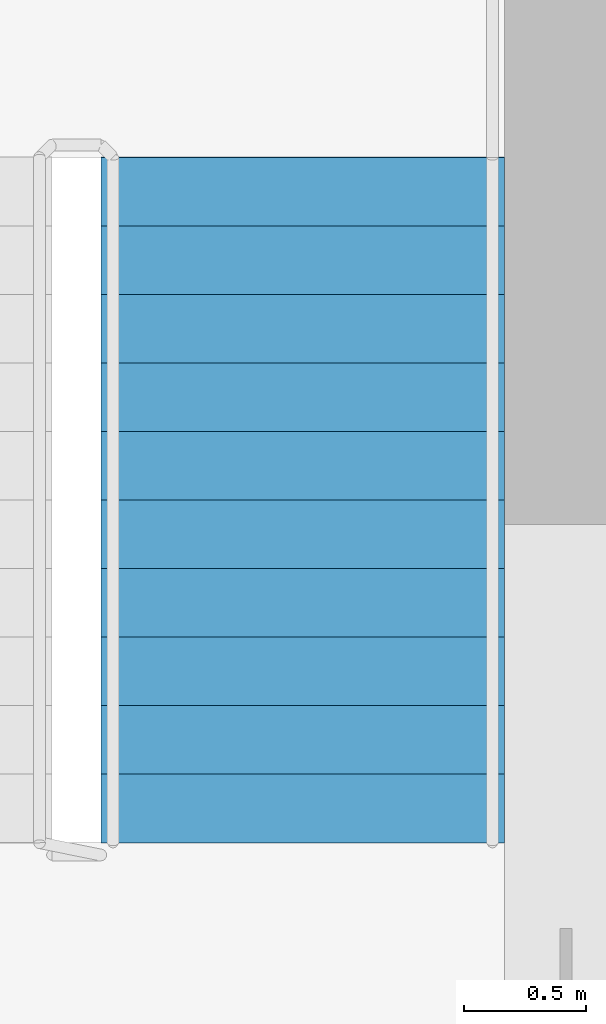
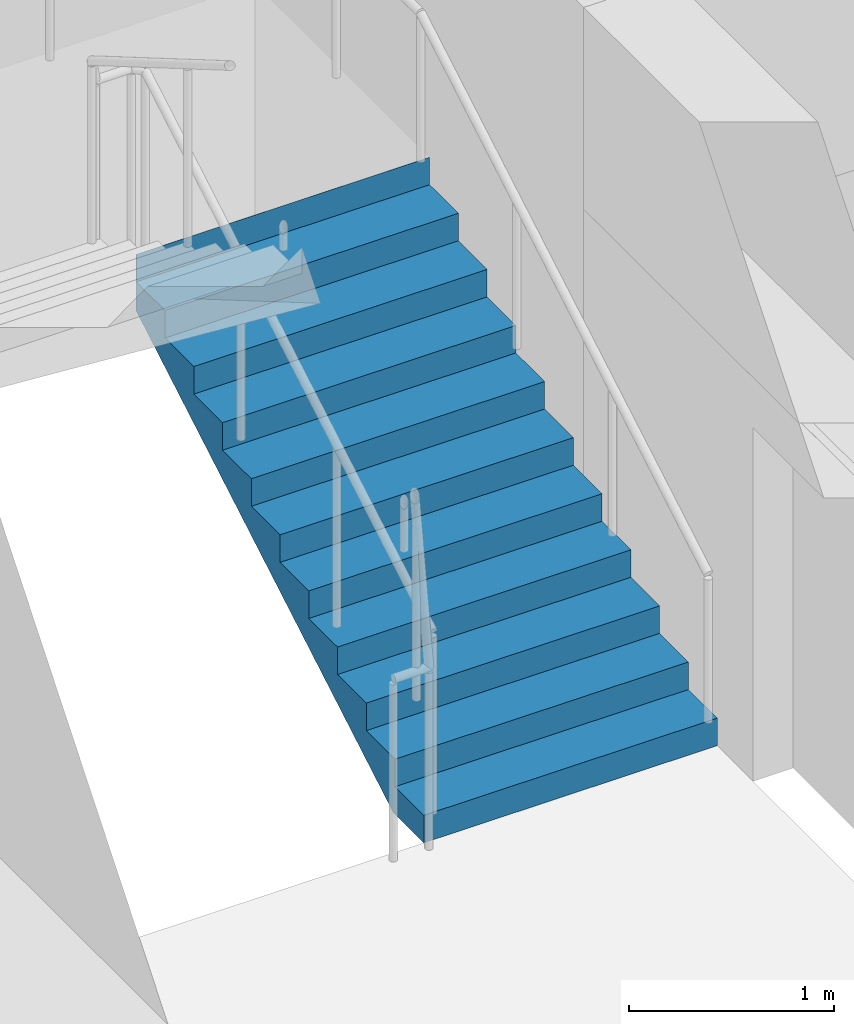
# One storey, part 13 of 14: 1 stair flight, 1 element without a shape of its own.
"""IFC4 building model written with IfcOpenShell, lengths in metres."""

from ifc_helpers import new_model, si_unit, direction, frame, origin, place, context, subcontext, project, spatial, polyline, outline, extrude, material, type_object, element, aggregate, save


model = new_model("IFC4")

# Units and contexts
model_context = context("Model", 3, precision=1e-05, world=origin(), true_north=direction((0.0, 1.0)))
body_context = subcontext(model_context, "Body", "Model", "MODEL_VIEW")
ifc_project = project(units=[si_unit("LENGTHUNIT", "METRE"), si_unit("AREAUNIT", "SQUARE_METRE"), si_unit("VOLUMEUNIT", "CUBIC_METRE"), si_unit("PLANEANGLEUNIT", "RADIAN"), si_unit("MASSUNIT", "GRAM", prefix="KILO")], contexts=[model_context])

# Site, building, storey
site_placement = place(None, origin())
site = spatial("IfcSite", under=ifc_project, at=site_placement, CompositionType="ELEMENT")
building_placement = place(site_placement, origin())
building = spatial("IfcBuilding", under=site, at=building_placement, Name="Tamorin Gate", CompositionType="ELEMENT")
storey_placement = place(building_placement, frame((0.0, 0.0, 37.60009765625)))
storey = spatial("IfcBuildingStorey", under=building, at=storey_placement, Name="L07", CompositionType="ELEMENT", Elevation=37.60009765625)

# Stair, stair flight
ifc_material = material(Name="Concrete C40/50", Category="concrete")
stair_type = type_object("IfcStairType", Name="Exit stair", PredefinedType="HALF_TURN_STAIR", material=ifc_material)
stair_placement = place(storey_placement, origin())
stair = element("IfcStair", 1, at=stair_placement, inside=storey, type_object=stair_type, Name="L07 stair ST2", PredefinedType="HALF_TURN_STAIR")
stair_flight_type = type_object("IfcStairFlightType", Name="Exit stair flight", PredefinedType="STRAIGHT", material=ifc_material)
stair_flight_placement = place(storey_placement, frame((33.675048828125, 77.0, 0.0), z_axis=(0.0, 0.0, 1.0), x_axis=(0.0, 1.0, 0.0)))
stair_flight = element("IfcStairFlight", 2, at=stair_flight_placement, type_object=stair_flight_type, Name="ST2 flight 1", NumberOfRisers=11, NumberOfTreads=10, PredefinedType="STRAIGHT", RiserHeight=0.163636364, TreadLength=0.28, context=body_context, shape_type="SweptSolid", body=[
    extrude(outline(polyline([(-0.00048828125, 0.0), (-0.00048828125, 0.001708984375), (-0.00048828125, 0.003173828125), (-0.00048828125, 0.0048828125), (-0.00048828125, 0.006591796875), (-0.00048828125, 0.008056640625), (-0.00048828125, 0.009765625), (-0.00048828125, 0.01123046875), (-0.00048828125, 0.012939453125), (-0.00048828125, 0.0146484375), (-0.00048828125, 0.01611328125), (-0.00048828125, 0.017822265625), (-0.00048828125, 0.01953125), (-0.00048828125, 0.02099609375), (-0.00048828125, 0.022705078125), (-0.00048828125, 0.0244140625), (-0.00048828125, 0.02587890625), (-0.00048828125, 0.027587890625), (-0.00048828125, 0.029052734375), (-0.00048828125, 0.03076171875), (-0.00048828125, 0.032470703125), (-0.00048828125, 0.033935546875), (-0.00048828125, 0.03564453125), (-0.00048828125, 0.037353515625), (-0.00048828125, 0.038818359375), (-0.00048828125, 0.04052734375), (-0.00048828125, 0.042236328125), (-0.00048828125, 0.043701171875), (-0.00048828125, 0.04541015625), (-0.00048828125, 0.046875), (-0.00048828125, 0.048583984375), (-0.00048828125, 0.05029296875), (-0.00048828125, 0.0517578125), (-0.00048828125, 0.053466796875), (-0.00048828125, 0.05517578125), (-0.00048828125, 0.056640625), (-0.00048828125, 0.058349609375), (-0.00048828125, 0.06005859375), (-0.00048828125, 0.0615234375), (-0.00048828125, 0.063232421875), (-0.00048828125, 0.064697265625), (-0.00048828125, 0.06640625), (-0.00048828125, 0.068115234375), (-0.00048828125, 0.069580078125), (-0.00048828125, 0.0712890625), (-0.00048828125, 0.072998046875), (-0.00048828125, 0.074462890625), (-0.00048828125, 0.076171875), (-0.00048828125, 0.077880859375), (-0.00048828125, 0.079345703125), (-0.00048828125, 0.0810546875), (-0.00048828125, 0.08251953125), (-0.00048828125, 0.084228515625), (-0.00048828125, 0.0859375), (-0.00048828125, 0.08740234375), (-0.00048828125, 0.089111328125), (-0.00048828125, 0.0908203125), (-0.00048828125, 0.09228515625), (-0.00048828125, 0.093994140625), (-0.00048828125, 0.095703125), (-0.00048828125, 0.09716796875), (-0.00048828125, 0.098876953125), (-0.00048828125, 0.100341796875), (-0.00048828125, 0.10205078125), (-0.00048828125, 0.103759765625), (-0.00048828125, 0.105224609375), (-0.00048828125, 0.10693359375), (-0.00048828125, 0.108642578125), (-0.00048828125, 0.110107421875), (-0.00048828125, 0.11181640625), (-0.00048828125, 0.113525390625), (-0.00048828125, 0.114990234375), (-0.00048828125, 0.11669921875), (-0.00048828125, 0.1181640625), (-0.00048828125, 0.119873046875), (-0.00048828125, 0.12158203125), (-0.00048828125, 0.123046875), (-0.00048828125, 0.124755859375), (-0.00048828125, 0.12646484375), (-0.00048828125, 0.1279296875), (-0.00048828125, 0.129638671875), (-0.00048828125, 0.13134765625), (-0.00048828125, 0.1328125), (-0.00048828125, 0.134521484375), (-0.00048828125, 0.135986328125), (-0.00048828125, 0.1376953125), (-0.00048828125, 0.139404296875), (-0.00048828125, 0.140869140625), (-0.00048828125, 0.142578125), (-0.00048828125, 0.144287109375), (-0.00048828125, 0.145751953125), (-0.00048828125, 0.1474609375), (-0.00048828125, 0.149169921875), (-0.00048828125, 0.150634765625), (-0.00048828125, 0.15234375), (-0.00048828125, 0.15380859375), (-0.00048828125, 0.155517578125), (-0.00048828125, 0.1572265625), (-0.00048828125, 0.15869140625), (-0.00048828125, 0.160400390625), (-0.00048828125, 0.162109375), (-0.00048828125, 0.16357421875), (0.280029296875, 0.16357421875), (0.280029296875, 0.327392578125), (0.56005859375, 0.327392578125), (0.56005859375, 0.490966796875), (0.840087890625, 0.490966796875), (0.840087890625, 0.654541015625), (1.1201171875, 0.654541015625), (1.1201171875, 0.818115234375), (1.39990234375, 0.818115234375), (1.39990234375, 0.98193359375), (1.679931640625, 0.98193359375), (1.679931640625, 1.1455078125), (1.9599609375, 1.1455078125), (1.9599609375, 1.30908203125), (2.239990234375, 1.30908203125), (2.239990234375, 1.47265625), (2.52001953125, 1.47265625), (2.52001953125, 1.636474609375), (2.800048828125, 1.636474609375), (2.800048828125, 1.800048828125), (2.800537109375, 1.800048828125), (2.800537109375, 1.796630859375), (2.800537109375, 1.793212890625), (2.800537109375, 1.7900390625), (2.800537109375, 1.78662109375), (2.800537109375, 1.783203125), (2.800537109375, 1.780029296875), (2.800537109375, 1.776611328125), (2.800537109375, 1.773193359375), (2.800537109375, 1.77001953125), (2.800537109375, 1.7666015625), (2.800537109375, 1.76318359375), (2.800537109375, 1.760009765625), (2.800537109375, 1.756591796875), (2.800537109375, 1.753173828125), (2.800537109375, 1.75), (2.800537109375, 1.74658203125), (2.800537109375, 1.7431640625), (2.800537109375, 1.739990234375), (2.800537109375, 1.736572265625), (2.800537109375, 1.733154296875), (2.800537109375, 1.72998046875), (2.800537109375, 1.7265625), (2.800537109375, 1.72314453125), (2.800537109375, 1.719970703125), (2.800537109375, 1.716552734375), (2.800537109375, 1.713134765625), (2.800537109375, 1.7099609375), (2.800537109375, 1.70654296875), (2.800537109375, 1.703125), (2.800537109375, 1.69970703125), (2.800537109375, 1.696533203125), (2.800537109375, 1.693115234375), (2.800537109375, 1.689697265625), (2.800537109375, 1.6865234375), (2.800537109375, 1.68310546875), (2.800537109375, 1.6796875), (2.800537109375, 1.676513671875), (2.800537109375, 1.673095703125), (2.800537109375, 1.669677734375), (2.800537109375, 1.66650390625), (2.800537109375, 1.6630859375), (2.800537109375, 1.65966796875), (2.800537109375, 1.656494140625), (2.800537109375, 1.653076171875), (2.800537109375, 1.649658203125), (2.800537109375, 1.646484375), (2.800537109375, 1.64306640625), (2.800537109375, 1.6396484375), (2.800537109375, 1.636474609375), (2.800537109375, 1.633056640625), (2.800537109375, 1.629638671875), (2.800537109375, 1.62646484375), (2.800537109375, 1.623046875), (2.800537109375, 1.61962890625), (2.800537109375, 1.616455078125), (2.800537109375, 1.613037109375), (2.800537109375, 1.609619140625), (2.800537109375, 1.6064453125), (2.800537109375, 1.60302734375), (2.800537109375, 1.599609375), (2.800537109375, 1.59619140625), (2.800537109375, 1.593017578125), (2.800537109375, 1.589599609375), (2.800537109375, 1.586181640625), (2.800537109375, 1.5830078125), (2.800537109375, 1.57958984375), (2.800537109375, 1.576171875), (2.800537109375, 1.572998046875), (2.800537109375, 1.569580078125), (2.800537109375, 1.566162109375), (2.800537109375, 1.56298828125), (2.800537109375, 1.5595703125), (2.800537109375, 1.55615234375), (2.800537109375, 1.552978515625), (2.800537109375, 1.549560546875), (2.800537109375, 1.546142578125), (2.800537109375, 1.54296875), (2.800537109375, 1.53955078125), (2.800537109375, 1.5361328125), (2.800537109375, 1.532958984375), (2.800537109375, 1.529541015625), (2.800537109375, 1.526123046875), (2.800537109375, 1.52294921875), (2.800537109375, 1.51953125), (2.800537109375, 1.51611328125), (2.800537109375, 1.512939453125), (2.800537109375, 1.509521484375), (2.800537109375, 1.506103515625), (2.800537109375, 1.5029296875), (2.800537109375, 1.49951171875), (2.800537109375, 1.49609375), (2.800537109375, 1.49267578125), (2.800537109375, 1.489501953125), (2.800537109375, 1.486083984375), (2.800537109375, 1.482666015625), (2.800537109375, 1.4794921875), (2.800537109375, 1.47607421875), (2.800537109375, 1.47265625), (2.800537109375, 1.469482421875), (2.800537109375, 1.466064453125), (2.800537109375, 1.462646484375), (2.800048828125, 1.462646484375), (0.297119140625, 0.0), (-0.00048828125, 0.0)])), frame((0.0, 0.824951171875, 0.0), z_axis=(0.0, -1.0, 0.0), x_axis=(1.0, 0.0, 0.0)), (0.0, 0.0, 1.0), 1.64990234375),
])
aggregate(stair, [stair_flight])

save(model, "model.ifc")
